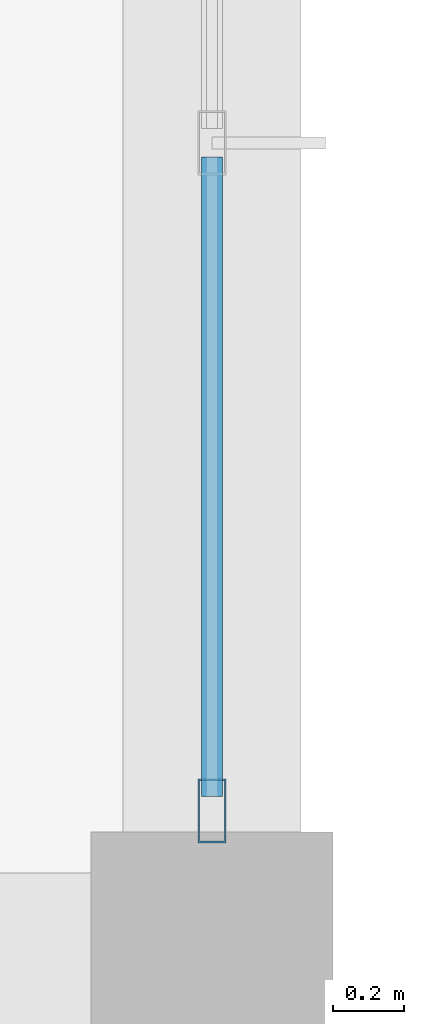
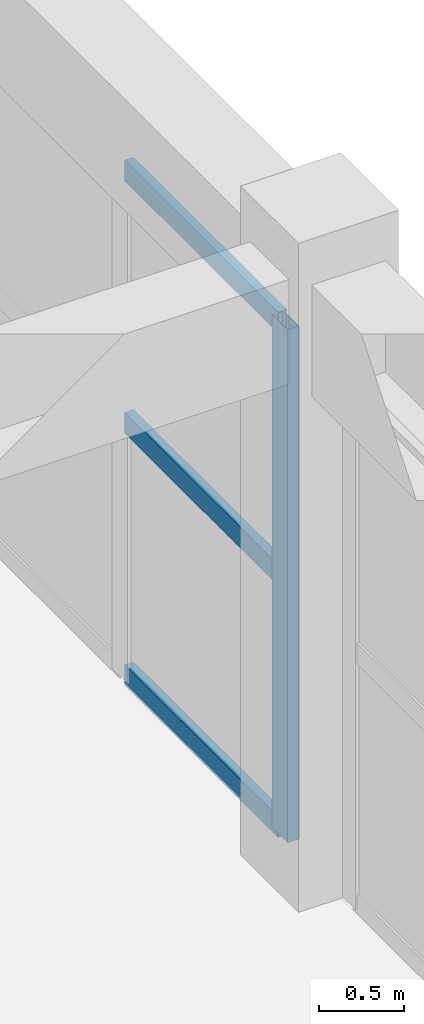
# One storey, part 112 of 175: 4 members, 1 element without a shape of its own.
"""IFC4 building model written with IfcOpenShell, lengths in metres."""

from ifc_helpers import new_model, si_unit, direction, frame, origin, origin_2d, place, context, subcontext, project, spatial, hollow_rectangle, extrude, material, layer, layer_set, material_profile, profile_set, type_object, element, aggregate, save


model = new_model("IFC4")

# Units and contexts
model_context = context("Model", 3, precision=1e-05, world=origin(), true_north=direction((0.0, 1.0)))
body_context = subcontext(model_context, "Body", "Model", "MODEL_VIEW")
ifc_project = project(units=[si_unit("LENGTHUNIT", "METRE"), si_unit("AREAUNIT", "SQUARE_METRE"), si_unit("VOLUMEUNIT", "CUBIC_METRE"), si_unit("PLANEANGLEUNIT", "RADIAN"), si_unit("MASSUNIT", "GRAM", prefix="KILO")], contexts=[model_context])

# Site, building, storey
site_placement = place(None, origin())
site = spatial("IfcSite", under=ifc_project, at=site_placement, CompositionType="ELEMENT")
building_placement = place(site_placement, origin())
building = spatial("IfcBuilding", under=site, at=building_placement, Name="Zizhar Promenade General Hospital", CompositionType="ELEMENT")
storey_placement = place(building_placement, frame((0.0, 0.0, 4.800048828125)))
storey = spatial("IfcBuildingStorey", under=building, at=storey_placement, Name="L01", CompositionType="ELEMENT", Elevation=4.800048828125)

# Curtain wall, members
ifc_material_1 = material(Name="Anodised aluminium 6063-T6 and low-E glass", Category="aluminium")
ifc_layer = layer(ifc_material_1, 0.159912109375)
ifc_layer_set = layer_set([ifc_layer], Name="Anodised aluminium 6063-T6 and low-E glass")
curtain_wall_type = type_object("IfcCurtainWallType", Name="CW-DT-MOD1", PredefinedType="NOTDEFINED", material=ifc_layer_set)
curtain_wall_placement = place(storey_placement, origin())
curtain_wall = element("IfcCurtainWall", 1, at=curtain_wall_placement, inside=storey, type_object=curtain_wall_type, Name="Surgical East Glazed Curtain Wall L01-15", PredefinedType="NOTDEFINED")
ifc_material_2 = material(Name="Anodised aluminium 6063-T6", Category="aluminium")
ifc_material_profile_1 = material_profile(ifc_material_2, hollow_rectangle(XDim=0.080078125, YDim=0.179931640625, WallThickness=0.0048828125, at=origin_2d()))
ifc_profile_set_1 = profile_set([ifc_material_profile_1], Name="Anodised aluminium 6063-T6")
member_type_1 = type_object("IfcMemberType", Name="CWM-ALU-180x80", PredefinedType="MULLION", material=ifc_profile_set_1)
member_1_placement = place(storey_placement, frame((132.60009765625, 126.39990234375, 0.0), z_axis=(0.0, 0.0, 1.0), x_axis=(1.0, 0.0, 0.0)))
member_1 = element("IfcMember", 2, at=member_1_placement, type_object=member_type_1, Name="CW-07 mullion 5", PredefinedType="MULLION", context=body_context, shape_type="SweptSolid", body=[
    extrude(hollow_rectangle(XDim=0.080078125, YDim=0.179931640625, WallThickness=0.0048828125, at=origin_2d()), origin(), (0.0, 0.0, 1.0), 3.679931640625),
])
ifc_material_3 = material(Name="Anodised aluminium 6063-T6", Category="aluminium")
ifc_material_profile_2 = material_profile(ifc_material_3, hollow_rectangle(XDim=0.06005859375, YDim=0.14990234375, WallThickness=0.00390625, at=origin_2d()))
ifc_profile_set_2 = profile_set([ifc_material_profile_2], Name="Anodised aluminium 6063-T6")
member_type_2 = type_object("IfcMemberType", Name="CWT-ALU-150x60", PredefinedType="USERDEFINED", material=ifc_profile_set_2)
member_2_placement = place(storey_placement, frame((132.60009765625, 128.239990234375, 0.030029296875), z_axis=(0.0, -1.0, 0.0), x_axis=(1.0, 0.0, 0.0)))
member_2 = element("IfcMember", 3, at=member_2_placement, type_object=member_type_2, Name="CW-07 transom 4.1", ObjectType="TRANSOM", PredefinedType="USERDEFINED", context=body_context, shape_type="SweptSolid", body=[
    extrude(hollow_rectangle(XDim=0.06005859375, YDim=0.14990234375, WallThickness=0.00390625, at=origin_2d()), origin(), (0.0, 0.0, 1.0), 1.800048828125),
])
member_3_placement = place(storey_placement, frame((132.60009765625, 128.239990234375, 1.83984375), z_axis=(0.0, -1.0, 0.0), x_axis=(1.0, 0.0, 0.0)))
member_3 = element("IfcMember", 4, at=member_3_placement, type_object=member_type_2, Name="CW-07 transom 4.2", ObjectType="TRANSOM", PredefinedType="USERDEFINED", context=body_context, shape_type="SweptSolid", body=[
    extrude(hollow_rectangle(XDim=0.06005859375, YDim=0.14990234375, WallThickness=0.00390625, at=origin_2d()), origin(), (0.0, 0.0, 1.0), 1.800048828125),
])
member_4_placement = place(storey_placement, frame((132.60009765625, 128.239990234375, 3.64990234375), z_axis=(0.0, -1.0, 0.0), x_axis=(1.0, 0.0, 0.0)))
member_4 = element("IfcMember", 5, at=member_4_placement, type_object=member_type_2, Name="CW-07 transom 4.3", ObjectType="TRANSOM", PredefinedType="USERDEFINED", context=body_context, shape_type="SweptSolid", body=[
    extrude(hollow_rectangle(XDim=0.06005859375, YDim=0.14990234375, WallThickness=0.00390625, at=origin_2d()), origin(), (0.0, 0.0, 1.0), 1.800048828125),
])
aggregate(curtain_wall, [member_1, member_2, member_3, member_4])

save(model, "model.ifc")
